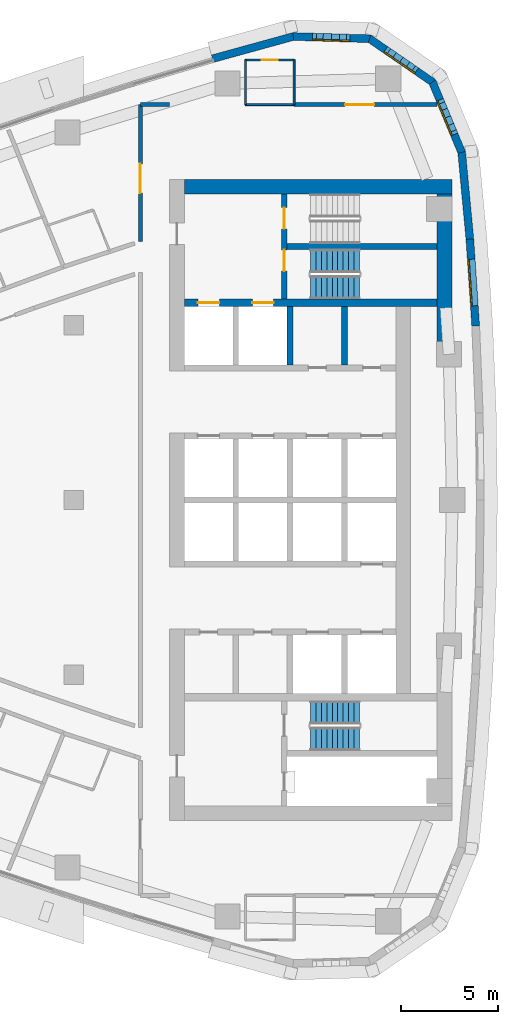
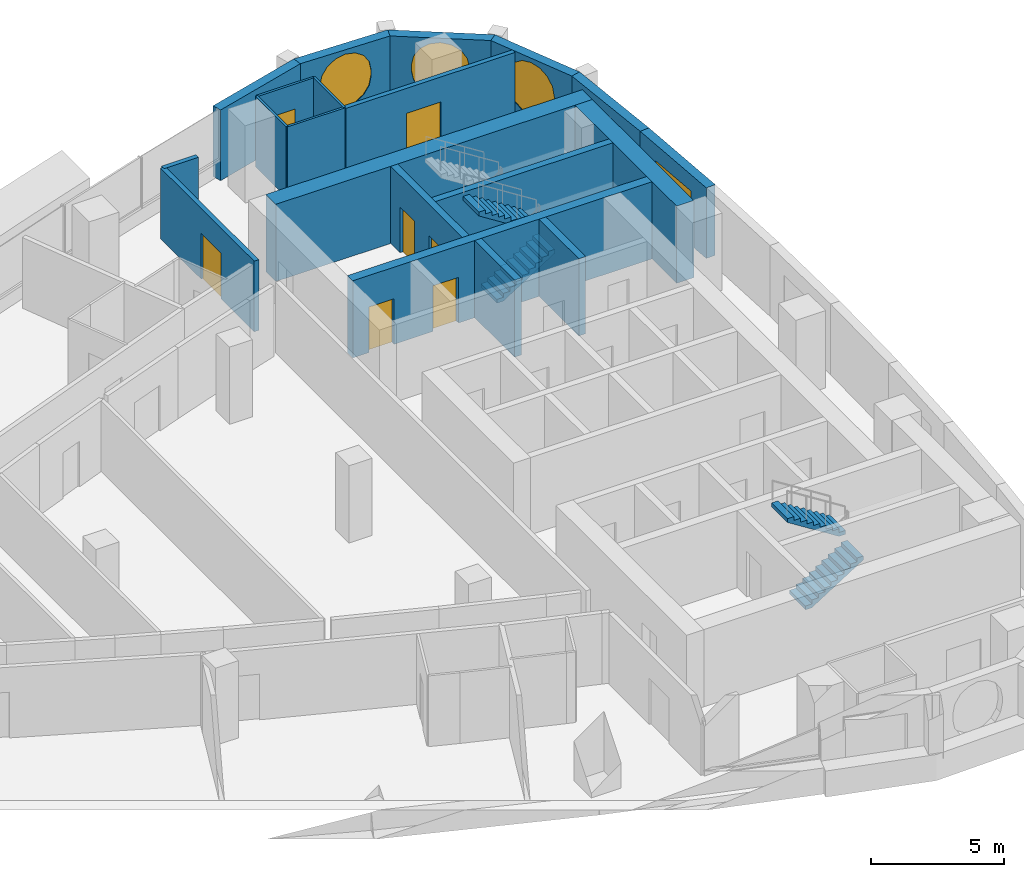
# One storey, part 12 of 17: 20 walls, 7 doors, 4 stair flights, 4 windows, 11 openings, 2 elements without a shape of their own.
"""IFC4 building model written with IfcOpenShell, lengths in metres."""

from ifc_helpers import new_model, si_unit, direction, frame, frame_2d, origin, place, context, subcontext, project, spatial, polyline, rectangle, outline, extrude, material, layer, layer_set, type_object, element, fill, aggregate, save


model = new_model("IFC4")

# Units and contexts
model_context = context("Model", 3, precision=1e-05, world=origin(), true_north=direction((0.0, 1.0)))
body_context = subcontext(model_context, "Body", "Model", "MODEL_VIEW")
ifc_project = project(units=[si_unit("LENGTHUNIT", "METRE"), si_unit("AREAUNIT", "SQUARE_METRE"), si_unit("VOLUMEUNIT", "CUBIC_METRE"), si_unit("PLANEANGLEUNIT", "RADIAN"), si_unit("MASSUNIT", "GRAM", prefix="KILO")], contexts=[model_context])

# Site, building, storey
site_placement = place(None, origin())
site = spatial("IfcSite", under=ifc_project, at=site_placement, CompositionType="ELEMENT")
building_placement = place(site_placement, origin())
building = spatial("IfcBuilding", under=site, at=building_placement, Name="Ostrand Prow Hotel Tower", CompositionType="ELEMENT")
storey_placement = place(building_placement, frame((0.0, 0.0, 182.60009765625)))
storey = spatial("IfcBuildingStorey", under=building, at=storey_placement, Name="L45", CompositionType="ELEMENT", Elevation=182.60009765625)

# Walls
ifc_material_1 = material(Name="Concrete C60/75", Category="concrete")
ifc_layer_1 = layer(ifc_material_1, 0.300048828125)
ifc_layer_set_1 = layer_set([ifc_layer_1], Name="Concrete C60/75")
wall_type_1 = type_object("IfcWallType", Name="Core wall 300 C60/75", PredefinedType="SHEAR", material=ifc_layer_set_1)
for number, where, z_axis, x_axis, name in (
    (1, (56.14990234375, 6.949951171875, 0.0), (0.0, 0.0, 1.0), (0.0, 1.0, 0.0), "Core wall PW-R2-NA"),
    (2, (58.949951171875, 6.949951171875, 0.0), (0.0, 0.0, 1.0), (0.0, 1.0, 0.0), "Core wall PW-R3-NA"),
):
    element("IfcWall", number, at=place(storey_placement, frame(where, z_axis=z_axis, x_axis=x_axis)), inside=storey, type_object=wall_type_1, Name=name, PredefinedType="SHEAR", context=body_context, shape_type="SweptSolid", body=[
        extrude(rectangle(XDim=3.0, YDim=0.300048828125, at=frame_2d((1.5, 0.0))), origin(), (0.0, 0.0, 1.0), 3.5498046875),
    ])

# Wall, openings, doors
wall_1_placement = place(storey_placement, frame((55.85009765625, 10.35009765625, 0.0), z_axis=(0.0, 0.0, 1.0), x_axis=(0.0, 1.0, 0.0)))
wall_1 = element("IfcWall", 3, at=wall_1_placement, inside=storey, type_object=wall_type_1, Name="Core wall PW-VN", PredefinedType="SHEAR", context=body_context, shape_type="SweptSolid", body=[
    extrude(rectangle(XDim=5.39990234375, YDim=0.300048828125, at=frame_2d((2.699951171875, 0.0))), origin(), (0.0, 0.0, 1.0), 3.5498046875),
])
opening_1_placement = place(wall_1_placement, frame((1.429931640625, 0.0, 0.0)))
opening_1 = element("IfcOpeningElement", 4, at=opening_1_placement, cuts=wall_1, Name="Opening FD1", PredefinedType="OPENING", context=body_context, shape_type="SweptSolid", body=[
    extrude(rectangle(XDim=1.10009765625, YDim=2.10009765625, at=frame_2d((0.550048828125, 1.050048828125))), frame((0.0, 0.159912109375, 0.0), z_axis=(0.0, -1.0, 0.0), x_axis=(1.0, 0.0, 0.0)), (0.0, 0.0, 1.0), 0.320068359375),
])
opening_2_placement = place(wall_1_placement, frame((3.60009765625, 0.0, 0.0)))
opening_2 = element("IfcOpeningElement", 5, at=opening_2_placement, cuts=wall_1, Name="Opening FD1", PredefinedType="OPENING", context=body_context, shape_type="SweptSolid", body=[
    extrude(rectangle(XDim=1.10009765625, YDim=2.10009765625, at=frame_2d((0.550048828125, 1.050048828125))), frame((0.0, 0.159912109375, 0.0), z_axis=(0.0, -1.0, 0.0), x_axis=(1.0, 0.0, 0.0)), (0.0, 0.0, 1.0), 0.320068359375),
])
ifc_material_2 = material(Name="Steel fire door", Category="steel")
door_type_1 = type_object("IfcDoorType", Name="Fire door 1100 EI120", OperationType="SINGLE_SWING_RIGHT", PredefinedType="DOOR", material=ifc_material_2)
door_1_placement = place(opening_1_placement, origin())
door_1 = element("IfcDoor", 6, at=door_1_placement, inside=storey, type_object=door_type_1, Name="FIRE DOOR", OperationType="SINGLE_SWING_RIGHT", OverallHeight=2.10009765625, OverallWidth=1.10009765625, PredefinedType="DOOR", context=body_context, shape_type="SweptSolid", body=[
    extrude(rectangle(XDim=1.10009765625, YDim=2.10009765625, at=frame_2d((0.550048828125, 1.050048828125))), frame((0.0, 0.02490234375, 0.0), z_axis=(0.0, -1.0, 0.0), x_axis=(1.0, 0.0, 0.0)), (0.0, 0.0, 1.0), 0.050048828125),
])
fill(opening_1, door_1)
door_2_placement = place(opening_2_placement, origin())
door_2 = element("IfcDoor", 7, at=door_2_placement, inside=storey, type_object=door_type_1, Name="FIRE DOOR", OperationType="SINGLE_SWING_RIGHT", OverallHeight=2.10009765625, OverallWidth=1.10009765625, PredefinedType="DOOR", context=body_context, shape_type="SweptSolid", body=[
    extrude(rectangle(XDim=1.10009765625, YDim=2.10009765625, at=frame_2d((0.550048828125, 1.050048828125))), frame((0.0, 0.02490234375, 0.0), z_axis=(0.0, -1.0, 0.0), x_axis=(1.0, 0.0, 0.0)), (0.0, 0.0, 1.0), 0.050048828125),
])
fill(opening_2, door_2)

# Wall
wall_2_placement = place(storey_placement, frame((56.0, 13.050048828125, 0.0), z_axis=(0.0, 0.0, 1.0), x_axis=(1.0, 0.0, 0.0)))
element("IfcWall", 8, at=wall_2_placement, inside=storey, type_object=wall_type_1, Name="Core wall PW-ST13", PredefinedType="SHEAR", context=body_context, shape_type="SweptSolid", body=[
    extrude(rectangle(XDim=7.719970703125, YDim=0.300048828125, at=frame_2d((3.85986328125, 0.0))), origin(), (0.0, 0.0, 1.0), 3.5498046875),
])

# Wall, openings, doors
ifc_material_3 = material(Name="Concrete C60/75", Category="concrete")
ifc_layer_2 = layer(ifc_material_3, 0.39990234375)
ifc_layer_set_2 = layer_set([ifc_layer_2], Name="Concrete C60/75")
wall_type_2 = type_object("IfcWallType", Name="Core wall 400 C60/75", PredefinedType="SHEAR", material=ifc_layer_set_2)
wall_3_placement = place(storey_placement, frame((50.699951171875, 10.14990234375, 0.0), z_axis=(0.0, 0.0, 1.0), x_axis=(1.0, 0.0, 0.0)))
wall_3 = element("IfcWall", 9, at=wall_3_placement, inside=storey, type_object=wall_type_2, Name="Core wall PW-BN", PredefinedType="SHEAR", context=body_context, shape_type="SweptSolid", body=[
    extrude(rectangle(XDim=13.02001953125, YDim=0.39990234375, at=frame_2d((6.510009765625, 0.0))), origin(), (0.0, 0.0, 1.0), 3.5498046875),
])
opening_3_placement = place(wall_3_placement, frame((0.699951171875, 0.0, 0.0)))
opening_3 = element("IfcOpeningElement", 10, at=opening_3_placement, cuts=wall_3, Name="Opening LD", PredefinedType="OPENING", context=body_context, shape_type="SweptSolid", body=[
    extrude(rectangle(XDim=1.10009765625, YDim=2.10009765625, at=frame_2d((0.550048828125, 1.050048828125))), frame((0.0, 0.2099609375, 0.0), z_axis=(0.0, -1.0, 0.0), x_axis=(1.0, 0.0, 0.0)), (0.0, 0.0, 1.0), 0.419921875),
])
opening_4_placement = place(wall_3_placement, frame((3.5, 0.0, 0.0)))
opening_4 = element("IfcOpeningElement", 11, at=opening_4_placement, cuts=wall_3, Name="Opening LD", PredefinedType="OPENING", context=body_context, shape_type="SweptSolid", body=[
    extrude(rectangle(XDim=1.10009765625, YDim=2.10009765625, at=frame_2d((0.550048828125, 1.050048828125))), frame((0.0, 0.2099609375, 0.0), z_axis=(0.0, -1.0, 0.0), x_axis=(1.0, 0.0, 0.0)), (0.0, 0.0, 1.0), 0.419921875),
])
ifc_material_4 = material(Name="Stainless steel door", Category="steel")
door_type_2 = type_object("IfcDoorType", Name="Lift landing door 1100", OperationType="DOUBLE_DOOR_SLIDING", PredefinedType="DOOR", material=ifc_material_4)
door_3_placement = place(opening_3_placement, origin())
door_3 = element("IfcDoor", 12, at=door_3_placement, inside=storey, type_object=door_type_2, Name="LIFT LANDING DOOR", OperationType="DOUBLE_DOOR_SLIDING", OverallHeight=2.10009765625, OverallWidth=1.10009765625, PredefinedType="DOOR", context=body_context, shape_type="SweptSolid", body=[
    extrude(rectangle(XDim=1.10009765625, YDim=2.10009765625, at=frame_2d((0.550048828125, 1.050048828125))), frame((0.0, 0.02490234375, 0.0), z_axis=(0.0, -1.0, 0.0), x_axis=(1.0, 0.0, 0.0)), (0.0, 0.0, 1.0), 0.050048828125),
])
fill(opening_3, door_3)
door_4_placement = place(opening_4_placement, origin())
door_4 = element("IfcDoor", 13, at=door_4_placement, inside=storey, type_object=door_type_2, Name="LIFT LANDING DOOR", OperationType="DOUBLE_DOOR_SLIDING", OverallHeight=2.10009765625, OverallWidth=1.10009765625, PredefinedType="DOOR", context=body_context, shape_type="SweptSolid", body=[
    extrude(rectangle(XDim=1.10009765625, YDim=2.10009765625, at=frame_2d((0.550048828125, 1.050048828125))), frame((0.0, 0.02490234375, 0.0), z_axis=(0.0, -1.0, 0.0), x_axis=(1.0, 0.0, 0.0)), (0.0, 0.0, 1.0), 0.050048828125),
])
fill(opening_4, door_4)

# Walls
ifc_material_5 = material(Name="Concrete C60/75", Category="concrete")
ifc_layer_3 = layer(ifc_material_5, 0.75)
ifc_layer_set_3 = layer_set([ifc_layer_3], Name="Concrete C60/75")
wall_type_3 = type_object("IfcWallType", Name="Core wall 750 C60/75", PredefinedType="SHEAR", material=ifc_layer_set_3)
wall_4_placement = place(storey_placement, frame((50.699951171875, 16.125, 0.0), z_axis=(0.0, 0.0, 1.0), x_axis=(1.0, 0.0, 0.0)))
element("IfcWall", 14, at=wall_4_placement, inside=storey, type_object=wall_type_3, Name="Core wall CW-N", PredefinedType="SHEAR", context=body_context, shape_type="SweptSolid", body=[
    extrude(rectangle(XDim=13.77001953125, YDim=0.75, at=frame_2d((6.885009765625, 0.0))), origin(), (0.0, 0.0, 1.0), 3.5498046875),
])
wall_5_placement = place(storey_placement, frame((64.094970703125, 8.09912109375, 0.0), z_axis=(0.0, 0.0, 1.0), x_axis=(0.0, 1.0, 0.0)))
element("IfcWall", 15, at=wall_5_placement, inside=storey, type_object=wall_type_3, Name="Core wall CW-E-N", PredefinedType="SHEAR", context=body_context, shape_type="SweptSolid", body=[
    extrude(rectangle(XDim=7.65087890625, YDim=0.75, at=frame_2d((3.825439453125, 0.0))), origin(), (0.0, 0.0, 1.0), 3.5498046875),
])

# Wall, opening, door
ifc_material_6 = material(Name="Plasterboard partition")
ifc_layer_4 = layer(ifc_material_6, 0.10009765625)
ifc_layer_set_4 = layer_set([ifc_layer_4], Name="Plasterboard partition")
wall_type_4 = type_object("IfcWallType", Name="Partition 100 bathroom wall", PredefinedType="PARTITIONING", material=ifc_layer_set_4)
wall_6_placement = place(storey_placement, frame((53.85009765625, 22.64990234375, 0.0), z_axis=(0.0, 0.0, 1.0), x_axis=(1.0, 0.0, 0.0)))
wall_6 = element("IfcWall", 16, at=wall_6_placement, inside=storey, type_object=wall_type_4, Name="BATHROOM WALL", PredefinedType="PARTITIONING", context=body_context, shape_type="SweptSolid", body=[
    extrude(rectangle(XDim=2.5, YDim=0.10009765625, at=frame_2d((1.25, 0.0))), origin(), (0.0, 0.0, 1.0), 3.25),
])
opening_5_placement = place(wall_6_placement, frame((0.85009765625, 0.0, 0.0)))
opening_5 = element("IfcOpeningElement", 17, at=opening_5_placement, cuts=wall_6, Name="Opening D2", PredefinedType="OPENING", context=body_context, shape_type="SweptSolid", body=[
    extrude(rectangle(XDim=0.800048828125, YDim=2.10009765625, at=frame_2d((0.39990234375, 1.050048828125))), frame((0.0, 0.06005859375, 0.0), z_axis=(0.0, -1.0, 0.0), x_axis=(1.0, 0.0, 0.0)), (0.0, 0.0, 1.0), 0.1201171875),
])
ifc_material_7 = material(Name="Timber door leaf", Category="wood")
door_type_3 = type_object("IfcDoorType", Name="Bathroom door 800", OperationType="SINGLE_SWING_LEFT", PredefinedType="DOOR", material=ifc_material_7)
door_5_placement = place(opening_5_placement, origin())
door_5 = element("IfcDoor", 18, at=door_5_placement, inside=storey, type_object=door_type_3, Name="DOOR", OperationType="SINGLE_SWING_LEFT", OverallHeight=2.10009765625, OverallWidth=0.800048828125, PredefinedType="DOOR", context=body_context, shape_type="SweptSolid", body=[
    extrude(rectangle(XDim=0.800048828125, YDim=2.10009765625, at=frame_2d((0.39990234375, 1.050048828125))), frame((0.0, 0.02490234375, 0.0), z_axis=(0.0, -1.0, 0.0), x_axis=(1.0, 0.0, 0.0)), (0.0, 0.0, 1.0), 0.050048828125),
])
fill(opening_5, door_5)

# Walls
for number, where, z_axis, x_axis, name in (
    (19, (56.35009765625, 22.64990234375, 0.0), (0.0, 0.0, 1.0), (0.0, -1.0, 0.0), "BATHROOM WALL"),
    (20, (53.85009765625, 20.35009765625, 0.0), (0.0, 0.0, 1.0), (0.0, 1.0, 0.0), "BATHROOM WALL"),
):
    element("IfcWall", number, at=place(storey_placement, frame(where, z_axis=z_axis, x_axis=x_axis)), inside=storey, type_object=wall_type_4, Name=name, PredefinedType="PARTITIONING", context=body_context, shape_type="SweptSolid", body=[
        extrude(rectangle(XDim=2.2998046875, YDim=0.10009765625, at=frame_2d((1.14990234375, 0.0))), origin(), (0.0, 0.0, 1.0), 3.25),
    ])
wall_7_placement = place(storey_placement, frame((56.35009765625, 20.35498046875, 0.0), z_axis=(0.0, 0.0, 1.0), x_axis=(-1.0, 0.0, 0.0)))
element("IfcWall", 21, at=wall_7_placement, inside=storey, type_object=wall_type_4, Name="BATHROOM WALL", PredefinedType="PARTITIONING", context=body_context, shape_type="SweptSolid", body=[
    extrude(rectangle(XDim=2.5, YDim=0.10009765625, at=frame_2d((1.25, 0.0))), origin(), (0.0, 0.0, 1.0), 3.25),
])

# Wall, opening, door
ifc_material_8 = material(Name="Plasterboard partition")
ifc_layer_5 = layer(ifc_material_8, 0.199951171875)
ifc_layer_set_5 = layer_set([ifc_layer_5], Name="Plasterboard partition")
wall_type_5 = type_object("IfcWallType", Name="Partition 200 corridor wall", PredefinedType="PARTITIONING", material=ifc_layer_set_5)
wall_8_placement = place(storey_placement, frame((63.70947265625, 20.35498046875, 0.0), z_axis=(0.0, 0.0, 1.0), x_axis=(-1.0, 0.0, 0.0)))
wall_8 = element("IfcWall", 22, at=wall_8_placement, inside=storey, type_object=wall_type_5, Name="CORRIDOR WALL", PredefinedType="PARTITIONING", context=body_context, shape_type="SweptSolid", body=[
    extrude(rectangle(XDim=7.3544921875, YDim=0.199951171875, at=frame_2d((3.67724609375, 0.0))), origin(), (0.0, 0.0, 1.0), 3.25),
])
opening_6_placement = place(wall_8_placement, frame((3.230712890625, 0.0, 0.0)))
opening_6 = element("IfcOpeningElement", 23, at=opening_6_placement, cuts=wall_8, Name="Opening D15", PredefinedType="OPENING", context=body_context, shape_type="SweptSolid", body=[
    extrude(rectangle(XDim=1.5, YDim=2.10009765625, at=frame_2d((0.75, 1.050048828125))), frame((0.0, 0.10986328125, 0.0), z_axis=(0.0, -1.0, 0.0), x_axis=(1.0, 0.0, 0.0)), (0.0, 0.0, 1.0), 0.219970703125),
])
ifc_material_9 = material(Name="Timber door leaf", Category="wood")
door_type_4 = type_object("IfcDoorType", Name="Double door 1500", OperationType="DOUBLE_DOOR_SINGLE_SWING", PredefinedType="DOOR", material=ifc_material_9)
door_6_placement = place(opening_6_placement, origin())
door_6 = element("IfcDoor", 24, at=door_6_placement, inside=storey, type_object=door_type_4, Name="DOOR", OperationType="DOUBLE_DOOR_SINGLE_SWING", OverallHeight=2.10009765625, OverallWidth=1.5, PredefinedType="DOOR", context=body_context, shape_type="SweptSolid", body=[
    extrude(rectangle(XDim=1.5, YDim=2.10009765625, at=frame_2d((0.75, 1.050048828125))), frame((0.0, 0.02490234375, 0.0), z_axis=(0.0, -1.0, 0.0), x_axis=(1.0, 0.0, 0.0)), (0.0, 0.0, 1.0), 0.050048828125),
])
fill(opening_6, door_6)

wall_9_placement = place(storey_placement, frame((48.445068359375, 20.35107421875, 0.0), z_axis=(0.0, 0.0, 1.0), x_axis=(0.0, -1.0, 0.0)))
wall_9 = element("IfcWall", 25, at=wall_9_placement, inside=storey, type_object=wall_type_5, Name="CORRIDOR WALL", PredefinedType="PARTITIONING", context=body_context, shape_type="SweptSolid", body=[
    extrude(rectangle(XDim=7.05615234375, YDim=0.199951171875, at=frame_2d((3.528076171875, 0.0))), origin(), (0.0, 0.0, 1.0), 3.25),
])
opening_7_placement = place(wall_9_placement, frame((3.050048828125, 0.0, 0.0)))
opening_7 = element("IfcOpeningElement", 26, at=opening_7_placement, cuts=wall_9, Name="Opening D15", PredefinedType="OPENING", context=body_context, shape_type="SweptSolid", body=[
    extrude(rectangle(XDim=1.5, YDim=2.10009765625, at=frame_2d((0.75, 1.050048828125))), frame((0.0, 0.10986328125, 0.0), z_axis=(0.0, -1.0, 0.0), x_axis=(1.0, 0.0, 0.0)), (0.0, 0.0, 1.0), 0.219970703125),
])
door_7_placement = place(opening_7_placement, origin())
door_7 = element("IfcDoor", 27, at=door_7_placement, inside=storey, type_object=door_type_4, Name="DOOR", OperationType="DOUBLE_DOOR_SINGLE_SWING", OverallHeight=2.10009765625, OverallWidth=1.5, PredefinedType="DOOR", context=body_context, shape_type="SweptSolid", body=[
    extrude(rectangle(XDim=1.5, YDim=2.10009765625, at=frame_2d((0.75, 1.050048828125))), frame((0.0, 0.02490234375, 0.0), z_axis=(0.0, -1.0, 0.0), x_axis=(1.0, 0.0, 0.0)), (0.0, 0.0, 1.0), 0.050048828125),
])
fill(opening_7, door_7)

# Wall
wall_10_placement = place(storey_placement, frame((49.945068359375, 20.35498046875, 0.0), z_axis=(0.0, 0.0, 1.0), x_axis=(-0.999996609175, -0.002604157836, 0.0)))
element("IfcWall", 28, at=wall_10_placement, inside=storey, type_object=wall_type_5, Name="CORRIDOR WALL", PredefinedType="PARTITIONING", context=body_context, shape_type="SweptSolid", body=[
    extrude(rectangle(XDim=1.5, YDim=0.199951171875, at=frame_2d((0.75, 0.0))), origin(), (0.0, 0.0, 1.0), 3.25),
])

# Wall, opening, window
ifc_material_10 = material(Name="Precast concrete C40/50", Category="concrete")
ifc_layer_6 = layer(ifc_material_10, 0.39990234375)
ifc_layer_set_6 = layer_set([ifc_layer_6], Name="Precast concrete C40/50")
wall_type_6 = type_object("IfcWallType", Name="Stone-faced precast wall 400 mm", PredefinedType="NOTDEFINED", material=ifc_layer_set_6)
wall_11_placement = place(storey_placement, frame((65.700439453125, 8.957763671875, 0.0), z_axis=(0.0, 0.0, 1.0), x_axis=(-0.066905935948, 0.997759287471, 0.0)))
wall_11 = element("IfcWall", 29, at=wall_11_placement, inside=storey, type_object=wall_type_6, Name="Stone-faced wall back 11", PredefinedType="NOTDEFINED", context=body_context, shape_type="SweptSolid", body=[
    extrude(outline(polyline([(-0.002685546875, -0.199951171875), (4.483642578125, -0.199951171875), (4.478271484375, 0.199951171875), (0.002685546875, 0.199951171875), (-0.002685546875, -0.199951171875)])), origin(), (0.0, 0.0, 1.0), 3.25),
])
opening_8_placement = place(wall_11_placement, frame((1.040283203125, 0.0, 0.5)))
opening_8 = element("IfcOpeningElement", 30, at=opening_8_placement, cuts=wall_11, Name="Opening WA1", PredefinedType="OPENING", context=body_context, shape_type="SweptSolid", body=[
    extrude(rectangle(XDim=2.39990234375, YDim=2.0, at=frame_2d((1.199951171875, 1.0))), frame((0.0, 0.2099609375, 0.0), z_axis=(0.0, -1.0, 0.0), x_axis=(1.0, 0.0, 0.0)), (0.0, 0.0, 1.0), 0.419921875),
])
ifc_material_11 = material(Name="Insulated glass in bronze frame", Category="glass")
window_type_1 = type_object("IfcWindowType", Name="Amenity picture window 2400x2000", PartitioningType="SINGLE_PANEL", PredefinedType="WINDOW", material=ifc_material_11)
window_1_placement = place(opening_8_placement, origin())
window_1 = element("IfcWindow", 31, at=window_1_placement, inside=storey, type_object=window_type_1, Name="Window back 11.1", OverallHeight=2.0, OverallWidth=2.39990234375, PartitioningType="SINGLE_PANEL", PredefinedType="WINDOW", context=body_context, shape_type="SweptSolid", body=[
    extrude(rectangle(XDim=2.39990234375, YDim=2.0, at=frame_2d((1.199951171875, 1.0))), frame((0.0, 0.169921875, 0.0), z_axis=(0.0, -1.0, 0.0), x_axis=(1.0, 0.0, 0.0)), (0.0, 0.0, 1.0), 0.06005859375),
])
fill(opening_8, window_1)

# Wall
wall_12_placement = place(storey_placement, frame((65.400634765625, 13.4287109375, 0.0), z_axis=(0.0, 0.0, 1.0), x_axis=(-0.093605694738, 0.995609348044, 0.0)))
element("IfcWall", 32, at=wall_12_placement, inside=storey, type_object=wall_type_6, Name="Stone-faced wall back 12", PredefinedType="NOTDEFINED", context=body_context, shape_type="SweptSolid", body=[
    extrude(outline(polyline([(-0.002685546875, -0.199951171875), (4.51123046875, -0.199951171875), (4.45068359375, 0.199951171875), (0.002685546875, 0.199951171875), (-0.002685546875, -0.199951171875)])), origin(), (0.0, 0.0, 1.0), 3.25),
])

# Wall, opening, window
wall_13_placement = place(storey_placement, frame((64.981201171875, 17.889892578125, 0.0), z_axis=(0.0, 0.0, 1.0), x_axis=(-0.383997619794, 0.923334082547, 0.0)))
wall_13 = element("IfcWall", 33, at=wall_13_placement, inside=storey, type_object=wall_type_6, Name="Stone-faced wall back 13", PredefinedType="NOTDEFINED", context=body_context, shape_type="SweptSolid", body=[
    extrude(outline(polyline([(-0.0302734375, -0.199951171875), (3.98828125, -0.199951171875), (3.8701171875, 0.199951171875), (0.0302734375, 0.199951171875), (-0.0302734375, -0.199951171875)])), origin(), (0.0, 0.0, 1.0), 3.25),
])
opening_9_placement = place(wall_13_placement, frame((0.864501953125, 0.0, 0.60009765625)))
opening_9 = element("IfcOpeningElement", 34, at=opening_9_placement, cuts=wall_13, Name="Opening WP2", PredefinedType="OPENING", context=body_context, shape_type="SweptSolid", body=[
    extrude(outline(polyline([(0.0, 1.35009765625), (0.083740234375, 1.77099609375), (0.322265625, 2.127685546875), (0.678955078125, 2.3662109375), (1.10009765625, 2.449951171875), (1.52099609375, 2.3662109375), (1.877685546875, 2.127685546875), (2.1162109375, 1.77099609375), (2.199951171875, 1.35009765625), (2.199951171875, 1.10009765625), (2.1162109375, 0.678955078125), (1.877685546875, 0.322265625), (1.52099609375, 0.083740234375), (1.10009765625, 0.0), (0.678955078125, 0.083740234375), (0.322265625, 0.322265625), (0.083740234375, 0.678955078125), (0.0, 1.099853515625), (0.0, 1.35009765625)])), frame((0.0, 0.2099609375, 0.0), z_axis=(0.0, -1.0, 0.0), x_axis=(1.0, 0.0, 0.0)), (0.0, 0.0, 1.0), 0.419921875),
])
ifc_material_12 = material(Name="Insulated glass in bronze frame", Category="glass")
window_type_2 = type_object("IfcWindowType", Name="Round-ended prow lounge window 2200x2450", PartitioningType="SINGLE_PANEL", PredefinedType="WINDOW", material=ifc_material_12)
window_2_placement = place(opening_9_placement, origin())
window_2 = element("IfcWindow", 35, at=window_2_placement, inside=storey, type_object=window_type_2, Name="Window back 13.1", OverallHeight=2.449951171875, OverallWidth=2.199951171875, PartitioningType="SINGLE_PANEL", PredefinedType="WINDOW", context=body_context, shape_type="SweptSolid", body=[
    extrude(outline(polyline([(0.0, 1.35009765625), (0.083740234375, 1.77099609375), (0.322265625, 2.127685546875), (0.678955078125, 2.3662109375), (1.10009765625, 2.449951171875), (1.52099609375, 2.3662109375), (1.877685546875, 2.127685546875), (2.1162109375, 1.77099609375), (2.199951171875, 1.35009765625), (2.199951171875, 1.10009765625), (2.1162109375, 0.678955078125), (1.877685546875, 0.322265625), (1.52099609375, 0.083740234375), (1.10009765625, 0.0), (0.678955078125, 0.083740234375), (0.322265625, 0.322265625), (0.083740234375, 0.678955078125), (0.0, 1.099853515625), (0.0, 1.35009765625)])), frame((0.0, 0.169921875, 0.0), z_axis=(0.0, -1.0, 0.0), x_axis=(1.0, 0.0, 0.0)), (0.0, 0.0, 1.0), 0.06005859375),
])
fill(opening_9, window_2)

wall_14_placement = place(storey_placement, frame((63.472412109375, 21.517822265625, 0.0), z_axis=(0.0, 0.0, 1.0), x_axis=(-0.823806162588, 0.566871596115, 0.0)))
wall_14 = element("IfcWall", 36, at=wall_14_placement, inside=storey, type_object=wall_type_6, Name="Stone-faced wall back 14", PredefinedType="NOTDEFINED", context=body_context, shape_type="SweptSolid", body=[
    extrude(outline(polyline([(-0.05908203125, -0.199951171875), (3.98828125, -0.199951171875), (3.8701171875, 0.199951171875), (0.05908203125, 0.199951171875), (-0.05908203125, -0.199951171875)])), origin(), (0.0, 0.0, 1.0), 3.25),
])
opening_10_placement = place(wall_14_placement, frame((0.864501953125, 0.0, 0.60009765625)))
opening_10 = element("IfcOpeningElement", 37, at=opening_10_placement, cuts=wall_14, Name="Opening WP2", PredefinedType="OPENING", context=body_context, shape_type="SweptSolid", body=[
    extrude(outline(polyline([(0.0, 1.35009765625), (0.083740234375, 1.77099609375), (0.322265625, 2.127685546875), (0.678955078125, 2.3662109375), (1.10009765625, 2.449951171875), (1.52099609375, 2.3662109375), (1.877685546875, 2.127685546875), (2.1162109375, 1.77099609375), (2.199951171875, 1.35009765625), (2.199951171875, 1.10009765625), (2.1162109375, 0.678955078125), (1.877685546875, 0.322265625), (1.52099609375, 0.083740234375), (1.10009765625, 0.0), (0.678955078125, 0.083740234375), (0.322265625, 0.322265625), (0.083740234375, 0.678955078125), (0.0, 1.099853515625), (0.0, 1.35009765625)])), frame((0.0, 0.2099609375, 0.0), z_axis=(0.0, -1.0, 0.0), x_axis=(1.0, 0.0, 0.0)), (0.0, 0.0, 1.0), 0.419921875),
])
window_3_placement = place(opening_10_placement, origin())
window_3 = element("IfcWindow", 38, at=window_3_placement, inside=storey, type_object=window_type_2, Name="Window back 14.1", OverallHeight=2.449951171875, OverallWidth=2.199951171875, PartitioningType="SINGLE_PANEL", PredefinedType="WINDOW", context=body_context, shape_type="SweptSolid", body=[
    extrude(outline(polyline([(0.0, 1.35009765625), (0.083740234375, 1.77099609375), (0.322265625, 2.127685546875), (0.678955078125, 2.3662109375), (1.10009765625, 2.449951171875), (1.52099609375, 2.3662109375), (1.877685546875, 2.127685546875), (2.1162109375, 1.77099609375), (2.199951171875, 1.35009765625), (2.199951171875, 1.10009765625), (2.1162109375, 0.678955078125), (1.877685546875, 0.322265625), (1.52099609375, 0.083740234375), (1.10009765625, 0.0), (0.678955078125, 0.083740234375), (0.322265625, 0.322265625), (0.083740234375, 0.678955078125), (0.0, 1.099853515625), (0.0, 1.35009765625)])), frame((0.0, 0.169921875, 0.0), z_axis=(0.0, -1.0, 0.0), x_axis=(1.0, 0.0, 0.0)), (0.0, 0.0, 1.0), 0.06005859375),
])
fill(opening_10, window_3)

wall_15_placement = place(storey_placement, frame((60.235595703125, 23.7451171875, 0.0), z_axis=(0.0, 0.0, 1.0), x_axis=(-0.999587920197, 0.028705222472, 0.0)))
wall_15 = element("IfcWall", 39, at=wall_15_placement, inside=storey, type_object=wall_type_6, Name="Stone-faced wall back 15", PredefinedType="NOTDEFINED", context=body_context, shape_type="SweptSolid", body=[
    extrude(outline(polyline([(-0.05908203125, -0.199951171875), (3.959228515625, -0.199951171875), (3.899658203125, 0.199951171875), (0.05908203125, 0.199951171875), (-0.05908203125, -0.199951171875)])), origin(), (0.0, 0.0, 1.0), 3.25),
])
opening_11_placement = place(wall_15_placement, frame((0.864501953125, 0.0, 0.60009765625)))
opening_11 = element("IfcOpeningElement", 40, at=opening_11_placement, cuts=wall_15, Name="Opening WP2", PredefinedType="OPENING", context=body_context, shape_type="SweptSolid", body=[
    extrude(outline(polyline([(0.0, 1.35009765625), (0.083740234375, 1.77099609375), (0.322265625, 2.127685546875), (0.678955078125, 2.3662109375), (1.10009765625, 2.449951171875), (1.52099609375, 2.3662109375), (1.877685546875, 2.127685546875), (2.1162109375, 1.77099609375), (2.199951171875, 1.35009765625), (2.199951171875, 1.10009765625), (2.1162109375, 0.678955078125), (1.877685546875, 0.322265625), (1.52099609375, 0.083740234375), (1.10009765625, 0.0), (0.678955078125, 0.083740234375), (0.322265625, 0.322265625), (0.083740234375, 0.678955078125), (0.0, 1.099853515625), (0.0, 1.35009765625)])), frame((0.0, 0.2099609375, 0.0), z_axis=(0.0, -1.0, 0.0), x_axis=(1.0, 0.0, 0.0)), (0.0, 0.0, 1.0), 0.419921875),
])
window_4_placement = place(opening_11_placement, origin())
window_4 = element("IfcWindow", 41, at=window_4_placement, inside=storey, type_object=window_type_2, Name="Window back 15.1", OverallHeight=2.449951171875, OverallWidth=2.199951171875, PartitioningType="SINGLE_PANEL", PredefinedType="WINDOW", context=body_context, shape_type="SweptSolid", body=[
    extrude(outline(polyline([(0.0, 1.35009765625), (0.083740234375, 1.77099609375), (0.322265625, 2.127685546875), (0.678955078125, 2.3662109375), (1.10009765625, 2.449951171875), (1.52099609375, 2.3662109375), (1.877685546875, 2.127685546875), (2.1162109375, 1.77099609375), (2.199951171875, 1.35009765625), (2.199951171875, 1.10009765625), (2.1162109375, 0.678955078125), (1.877685546875, 0.322265625), (1.52099609375, 0.083740234375), (1.10009765625, 0.0), (0.678955078125, 0.083740234375), (0.322265625, 0.322265625), (0.083740234375, 0.678955078125), (0.0, 1.099853515625), (0.0, 1.35009765625)])), frame((0.0, 0.169921875, 0.0), z_axis=(0.0, -1.0, 0.0), x_axis=(1.0, 0.0, 0.0)), (0.0, 0.0, 1.0), 0.06005859375),
])
fill(opening_11, window_4)

# Wall
wall_16_placement = place(storey_placement, frame((56.307861328125, 23.85791015625, 0.0), z_axis=(0.0, 0.0, 1.0), x_axis=(-0.964205755089, -0.265155165617, 0.0)))
element("IfcWall", 42, at=wall_16_placement, inside=storey, type_object=wall_type_6, Name="Stone-faced wall back 16", PredefinedType="NOTDEFINED", context=body_context, shape_type="SweptSolid", body=[
    extrude(outline(polyline([(-0.02978515625, -0.199951171875), (4.30712890625, -0.199951171875), (4.30712890625, 0.199951171875), (0.02978515625, 0.199951171875), (-0.02978515625, -0.199951171875)])), origin(), (0.0, 0.0, 1.0), 3.25),
])

# Stair, stair flights
ifc_material_13 = material(Name="Concrete C40/50", Category="concrete")
stair_type = type_object("IfcStairType", Name="Exit stair 1200 upper zone", PredefinedType="HALF_TURN_STAIR", material=ifc_material_13)
stair_1_placement = place(storey_placement, origin())
stair_1 = element("IfcStair", 43, at=stair_1_placement, inside=storey, type_object=stair_type, Name="L45 ST1C", PredefinedType="HALF_TURN_STAIR")
ifc_material_14 = material(Name="Concrete C40/50", Category="concrete")
stair_flight_type = type_object("IfcStairFlightType", Name="Stair flight 1200 concrete", PredefinedType="STRAIGHT", material=ifc_material_14)
stair_flight_1_placement = place(storey_placement, frame((57.199951171875, 10.949951171875, 0.0), z_axis=(0.0, 0.0, 1.0), x_axis=(1.0, 0.0, 0.0)))
stair_flight_1 = element("IfcStairFlight", 44, at=stair_flight_1_placement, type_object=stair_flight_type, Name="ST1C flight 1", NumberOfRisers=10, NumberOfTreads=9, PredefinedType="STRAIGHT", RiserHeight=0.1775, TreadLength=0.28, context=body_context, shape_type="SweptSolid", body=[
    extrude(outline(polyline([(0.0, 0.0), (0.0, 0.177490234375), (0.280029296875, 0.177490234375), (0.280029296875, 0.35498046875), (0.56005859375, 0.35498046875), (0.56005859375, 0.532470703125), (0.840087890625, 0.532470703125), (0.840087890625, 0.7099609375), (1.1201171875, 0.7099609375), (1.1201171875, 0.887451171875), (1.39990234375, 0.887451171875), (1.39990234375, 1.06494140625), (1.679931640625, 1.06494140625), (1.679931640625, 1.242431640625), (1.9599609375, 1.242431640625), (1.9599609375, 1.419921875), (2.239990234375, 1.419921875), (2.239990234375, 1.597412109375), (2.52001953125, 1.597412109375), (2.52001953125, 1.77490234375), (2.52001953125, 1.419921875), (0.280029296875, 0.0), (0.0, 0.0)])), frame((0.0, 0.60009765625, 0.0), z_axis=(0.0, -1.0, 0.0), x_axis=(1.0, 0.0, 0.0)), (0.0, 0.0, 1.0), 1.199951171875),
])
stair_flight_2_placement = place(storey_placement, frame((59.719970703125, 12.300048828125, 1.77490234375), z_axis=(0.0, 0.0, 1.0), x_axis=(-1.0, 0.0, 0.0)))
stair_flight_2 = element("IfcStairFlight", 45, at=stair_flight_2_placement, type_object=stair_flight_type, Name="ST1C flight 2", NumberOfRisers=10, NumberOfTreads=9, PredefinedType="STRAIGHT", RiserHeight=0.1775, TreadLength=0.28, context=body_context, shape_type="SweptSolid", body=[
    extrude(outline(polyline([(0.0, 0.0), (0.0, 0.177490234375), (0.280029296875, 0.177490234375), (0.280029296875, 0.35498046875), (0.56005859375, 0.35498046875), (0.56005859375, 0.532470703125), (0.840087890625, 0.532470703125), (0.840087890625, 0.7099609375), (1.1201171875, 0.7099609375), (1.1201171875, 0.887451171875), (1.39990234375, 0.887451171875), (1.39990234375, 1.06494140625), (1.679931640625, 1.06494140625), (1.679931640625, 1.242431640625), (1.9599609375, 1.242431640625), (1.9599609375, 1.419921875), (2.239990234375, 1.419921875), (2.239990234375, 1.597412109375), (2.52001953125, 1.597412109375), (2.52001953125, 1.77490234375), (2.52001953125, 1.419921875), (0.280029296875, 0.0), (0.0, 0.0)])), frame((0.0, 0.60009765625, 0.0), z_axis=(0.0, -1.0, 0.0), x_axis=(1.0, 0.0, 0.0)), (0.0, 0.0, 1.0), 1.199951171875),
])
aggregate(stair_1, [stair_flight_1, stair_flight_2])

stair_2_placement = place(storey_placement, origin())
stair_2 = element("IfcStair", 46, at=stair_2_placement, inside=storey, type_object=stair_type, Name="L45 ST2C", PredefinedType="HALF_TURN_STAIR")
stair_flight_3_placement = place(storey_placement, frame((57.199951171875, -12.300048828125, 0.0), z_axis=(0.0, 0.0, 1.0), x_axis=(1.0, 0.0, 0.0)))
stair_flight_3 = element("IfcStairFlight", 47, at=stair_flight_3_placement, type_object=stair_flight_type, Name="ST2C flight 1", NumberOfRisers=10, NumberOfTreads=9, PredefinedType="STRAIGHT", RiserHeight=0.1775, TreadLength=0.28, context=body_context, shape_type="SweptSolid", body=[
    extrude(outline(polyline([(0.0, 0.0), (0.0, 0.177490234375), (0.280029296875, 0.177490234375), (0.280029296875, 0.35498046875), (0.56005859375, 0.35498046875), (0.56005859375, 0.532470703125), (0.840087890625, 0.532470703125), (0.840087890625, 0.7099609375), (1.1201171875, 0.7099609375), (1.1201171875, 0.887451171875), (1.39990234375, 0.887451171875), (1.39990234375, 1.06494140625), (1.679931640625, 1.06494140625), (1.679931640625, 1.242431640625), (1.9599609375, 1.242431640625), (1.9599609375, 1.419921875), (2.239990234375, 1.419921875), (2.239990234375, 1.597412109375), (2.52001953125, 1.597412109375), (2.52001953125, 1.77490234375), (2.52001953125, 1.419921875), (0.280029296875, 0.0), (0.0, 0.0)])), frame((0.0, 0.60009765625, 0.0), z_axis=(0.0, -1.0, 0.0), x_axis=(1.0, 0.0, 0.0)), (0.0, 0.0, 1.0), 1.199951171875),
])
stair_flight_4_placement = place(storey_placement, frame((59.719970703125, -10.949951171875, 1.77490234375), z_axis=(0.0, 0.0, 1.0), x_axis=(-1.0, 0.0, 0.0)))
stair_flight_4 = element("IfcStairFlight", 48, at=stair_flight_4_placement, type_object=stair_flight_type, Name="ST2C flight 2", NumberOfRisers=10, NumberOfTreads=9, PredefinedType="STRAIGHT", RiserHeight=0.1775, TreadLength=0.28, context=body_context, shape_type="SweptSolid", body=[
    extrude(outline(polyline([(0.0, 0.0), (0.0, 0.177490234375), (0.280029296875, 0.177490234375), (0.280029296875, 0.35498046875), (0.56005859375, 0.35498046875), (0.56005859375, 0.532470703125), (0.840087890625, 0.532470703125), (0.840087890625, 0.7099609375), (1.1201171875, 0.7099609375), (1.1201171875, 0.887451171875), (1.39990234375, 0.887451171875), (1.39990234375, 1.06494140625), (1.679931640625, 1.06494140625), (1.679931640625, 1.242431640625), (1.9599609375, 1.242431640625), (1.9599609375, 1.419921875), (2.239990234375, 1.419921875), (2.239990234375, 1.597412109375), (2.52001953125, 1.597412109375), (2.52001953125, 1.77490234375), (2.52001953125, 1.419921875), (0.280029296875, 0.0), (0.0, 0.0)])), frame((0.0, 0.60009765625, 0.0), z_axis=(0.0, -1.0, 0.0), x_axis=(1.0, 0.0, 0.0)), (0.0, 0.0, 1.0), 1.199951171875),
])
aggregate(stair_2, [stair_flight_3, stair_flight_4])

save(model, "model.ifc")
